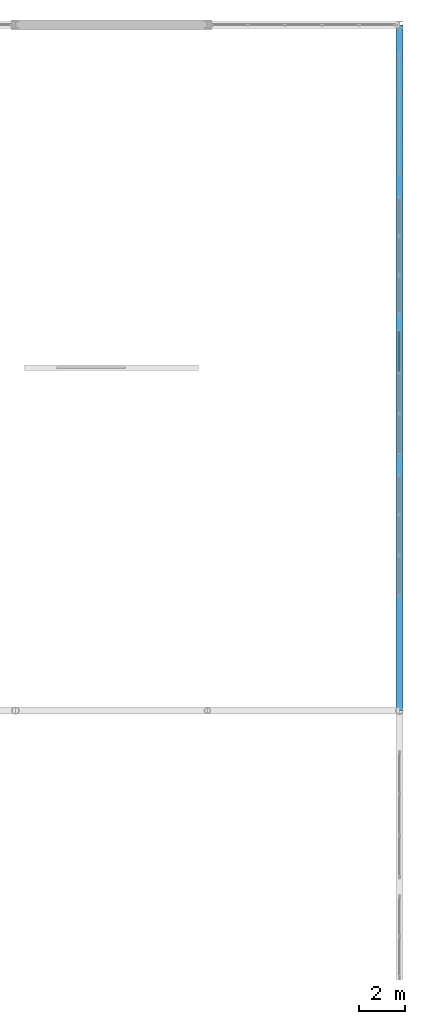
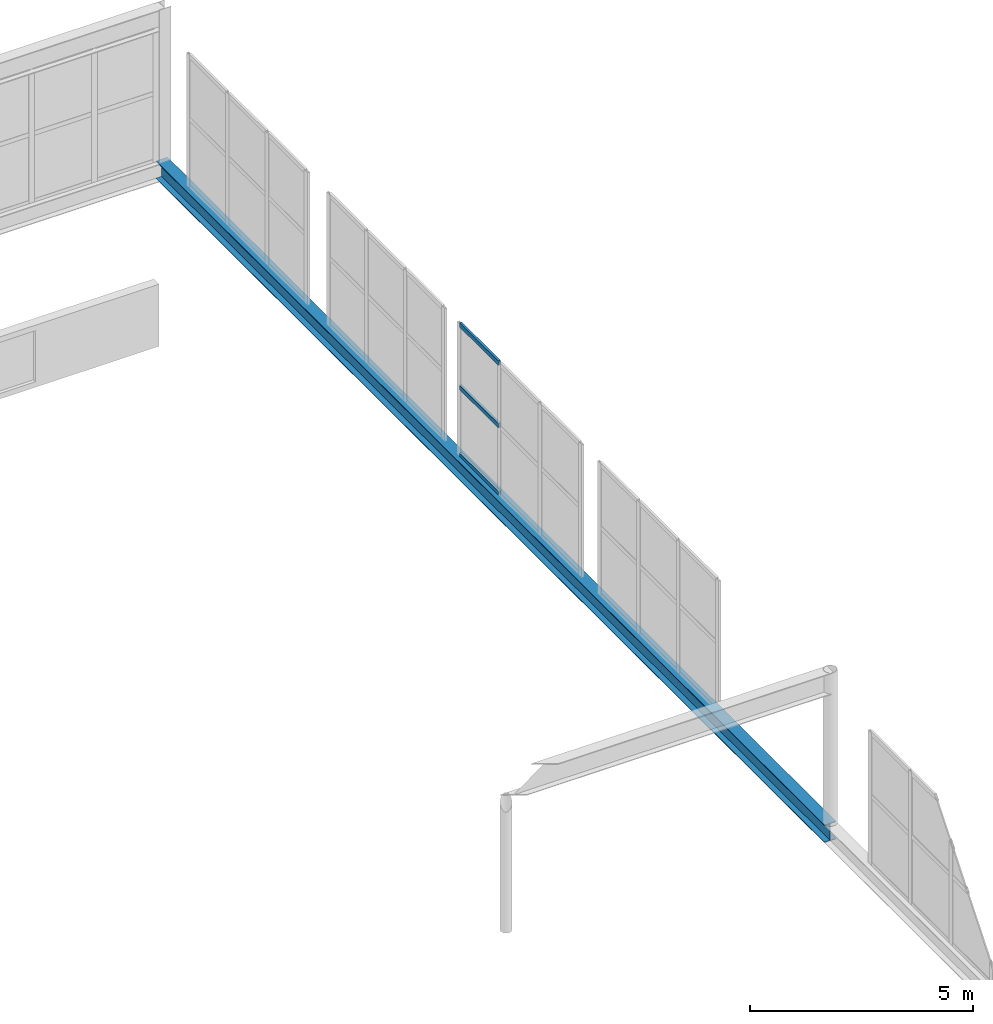
# One storey, part 158 of 218: 3 members, 1 beam, 1 element without a shape of its own.
"""IFC4 building model written with IfcOpenShell, lengths in metres."""

import ifcopenshell
import ifcopenshell.guid

model = None  # the IFC model being written
_history = None  # IfcOwnerHistory: only IFC2X3 demands one
_inside = {}  # id of a spatial element -> (the spatial element, [elements in it])
_under = {}  # id of a project, library or spatial element -> (it, [spatial elements below it])
_declared = {}  # id of a project -> (the project, [libraries it declares])
_typed = {}  # id of a type object -> (the type object, [elements of that type])
_made_of = {}  # id of a material, layer set ... -> (it, [elements and type objects made of it])


def new_model(schema):
    """Start an empty IFC model of exactly this schema.

    Asked for "IFC4X3", IfcOpenShell would pick the latest addendum, in which some entities
    have other attributes; the version numbers below select the first issue.
    IFC2X3 requires an IfcOwnerHistory on every rooted entity: one is made here for all.
    """
    global model, _history
    if schema == "IFC4X3":
        model = ifcopenshell.file(schema_version=(4, 3, 0, 0))
    else:
        model = ifcopenshell.file(schema=schema)
    _inside.clear()
    _under.clear()
    _declared.clear()
    _typed.clear()
    _made_of.clear()
    _history = None
    if model.schema == "IFC2X3":
        org = make("IfcOrganization", Name="unknown")
        user = make(
            "IfcPersonAndOrganization",
            ThePerson=make("IfcPerson", FamilyName="unknown"),
            TheOrganization=org,
        )
        app = make(
            "IfcApplication",
            ApplicationDeveloper=org,
            Version="unknown",
            ApplicationFullName="unknown",
            ApplicationIdentifier="unknown",
        )
        _history = make(
            "IfcOwnerHistory",
            OwningUser=user,
            OwningApplication=app,
            ChangeAction="ADDED",
            CreationDate=0,
        )
    return model


def make(cls, **values):
    """One entity of the class cls with the attributes given. An attribute that is None is left unset."""
    return model.create_entity(
        cls, **{name: value for name, value in values.items() if value is not None}
    )


def rooted(cls, **values):
    """An entity with a GlobalId (a new one), such as an element, a storey or a relation."""
    return make(cls, GlobalId=ifcopenshell.guid.new(), OwnerHistory=_history, **values)


def si_unit(unit_type, name, prefix=None):
    """IfcSIUnit, for example si_unit("LENGTHUNIT", "METRE", prefix="MILLI")."""
    return make("IfcSIUnit", UnitType=unit_type, Prefix=prefix, Name=name)


def assignment(units):
    """IfcUnitAssignment: the units of a project."""
    return None if units is None else make("IfcUnitAssignment", Units=units)


def point(xyz):
    """IfcCartesianPoint."""
    return None if xyz is None else make("IfcCartesianPoint", Coordinates=xyz)


def direction(xyz):
    """IfcDirection."""
    return None if xyz is None else make("IfcDirection", DirectionRatios=xyz)


def frame(location, z_axis=None, x_axis=None):
    """IfcAxis2Placement3D, a coordinate frame: its origin and axes. An axis left out is left unset."""
    return make(
        "IfcAxis2Placement3D",
        Location=point(location),
        Axis=direction(z_axis),
        RefDirection=direction(x_axis),
    )


def frame_2d(location, x_axis=None):
    """IfcAxis2Placement2D, a coordinate frame in the plane: its origin and x axis."""
    return make(
        "IfcAxis2Placement2D", Location=point(location), RefDirection=direction(x_axis)
    )


def origin():
    """The frame at (0, 0, 0) with its axes left unset."""
    return frame((0.0, 0.0, 0.0))


def origin_2d():
    """The frame at (0, 0) in the plane with its x axis left unset."""
    return frame_2d((0.0, 0.0))


def place(relative_to, where):
    """IfcLocalPlacement: puts the frame where relative to a parent placement (None: the world)."""
    return make(
        "IfcLocalPlacement", PlacementRelTo=relative_to, RelativePlacement=where
    )


def context(
    kind, dimensions, precision=None, world=None, true_north=None, identifier=None
):
    """IfcGeometricRepresentationContext, for example the 3D "Model" context."""
    return make(
        "IfcGeometricRepresentationContext",
        ContextIdentifier=identifier,
        ContextType=kind,
        CoordinateSpaceDimension=dimensions,
        Precision=precision,
        WorldCoordinateSystem=world,
        TrueNorth=true_north,
    )


def subcontext(parent, identifier, kind, view, scale=None):
    """IfcGeometricRepresentationSubContext, for example "Body" below "Model"."""
    return make(
        "IfcGeometricRepresentationSubContext",
        ContextIdentifier=identifier,
        ContextType=kind,
        ParentContext=parent,
        TargetScale=scale,
        TargetView=view,
    )


def project(units=None, contexts=None):
    """IfcProject with its units and contexts."""
    return rooted(
        "IfcProject",
        Name="project",
        RepresentationContexts=contexts,
        UnitsInContext=assignment(units),
    )


def spatial(cls, under=None, at=None, **own):
    """A site, building, storey or space (cls), placed at a placement, below another one or the project."""
    s = rooted(cls, ObjectPlacement=at, **own)
    if under is not None:
        _under.setdefault(under.id(), (under, []))[1].append(s)
    return s


def profile(cls, at=None, kind="AREA", **sizes):
    """A parametric profile (cls). Its sizes go by their IFC names, for example OverallWidth=200.0."""
    return make(cls, ProfileType=kind, Position=at, **sizes)


def hollow_rectangle(**sizes):
    """IfcRectangleHollowProfileDef."""
    return profile("IfcRectangleHollowProfileDef", **sizes)


def i_section(**sizes):
    """IfcIShapeProfileDef."""
    return profile("IfcIShapeProfileDef", **sizes)


def extrude(swept, where, along, depth):
    """IfcExtrudedAreaSolid: the profile swept, set in the frame where, extruded along a direction by depth."""
    return make(
        "IfcExtrudedAreaSolid",
        SweptArea=swept,
        Position=where,
        ExtrudedDirection=direction(along),
        Depth=depth,
    )


def shape(context_of_items, identifier, shape_type, items):
    """IfcShapeRepresentation: the items that make up one representation, for example the "Body"."""
    return make(
        "IfcShapeRepresentation",
        ContextOfItems=context_of_items,
        RepresentationIdentifier=identifier,
        RepresentationType=shape_type,
        Items=items,
    )


def material(Name=None, Category=None):
    """IfcMaterial."""
    return make("IfcMaterial", Name=Name, Category=Category)


def material_profile(
    of_material, cross_section, Name=None, Category=None, Priority=None
):
    """IfcMaterialProfile: a cross section and its material."""
    return make(
        "IfcMaterialProfile",
        Name=Name,
        Material=of_material,
        Profile=cross_section,
        Priority=Priority,
        Category=Category,
    )


def profile_set(profiles, Name=None, composite=None):
    """IfcMaterialProfileSet."""
    return make(
        "IfcMaterialProfileSet",
        Name=Name,
        MaterialProfiles=profiles,
        CompositeProfile=composite,
    )


def made_of(thing, what):
    """Note that an element or type object is made of a material, layer set ...; save() writes the relation."""
    if what is not None:
        _made_of.setdefault(what.id(), (what, []))[1].append(thing)
    return thing


def type_object(cls, material=None, **own):
    """A type object (cls), such as IfcWallType, which elements share."""
    return made_of(rooted(cls, **own), material)


def element(
    cls,
    number,
    at=None,
    inside=None,
    cuts=None,
    type_object=None,
    material=None,
    context=None,
    identifier="Body",
    shape_type=None,
    held_by="IfcProductDefinitionShape",
    body=None,
    shapes=None,
    **own,
):
    """One element of the class cls, such as IfcWall. Its Tag is "e" and its number.

    at: its placement. inside: the storey or other place that contains it. cuts: it is an
    opening in that element (IfcRelVoidsElement). A single representation is given by context,
    identifier, shape_type and body (its items); several are given by shapes. held_by: the class
    of the entity that holds the representations. save() writes the other relations.
    """
    e = rooted(cls, Tag="e%d" % number, ObjectPlacement=at, **own)
    if body is not None:
        shapes = [shape(context, identifier, shape_type, body)]
    if shapes is not None:
        e.Representation = make(held_by, Representations=shapes)
    if inside is not None:
        _inside.setdefault(inside.id(), (inside, []))[1].append(e)
    if cuts is not None:
        rooted(
            "IfcRelVoidsElement", RelatingBuildingElement=cuts, RelatedOpeningElement=e
        )
    if type_object is not None:
        _typed.setdefault(type_object.id(), (type_object, []))[1].append(e)
    return made_of(e, material)


def aggregate(whole, parts):
    """IfcRelAggregates: a whole, such as a stair, and the parts it consists of."""
    return rooted("IfcRelAggregates", RelatingObject=whole, RelatedObjects=parts)


def save(model, path):
    """Write the relations noted so far, then the file.

    IfcRelAggregates (storeys below a building ...), IfcRelContainedInSpatialStructure (elements
    in a storey), IfcRelDefinesByType, IfcRelAssociatesMaterial and IfcRelDeclares: one each for
    every whole, place, type object, material and project.
    """
    for whole, parts in _under.values():
        aggregate(whole, parts)
    for where, things in _inside.values():
        rooted(
            "IfcRelContainedInSpatialStructure",
            RelatedElements=things,
            RelatingStructure=where,
        )
    for kind, things in _typed.values():
        rooted("IfcRelDefinesByType", RelatedObjects=things, RelatingType=kind)
    for what, things in _made_of.values():
        rooted("IfcRelAssociatesMaterial", RelatedObjects=things, RelatingMaterial=what)
    for by, libraries in _declared.values():
        rooted("IfcRelDeclares", RelatingContext=by, RelatedDefinitions=libraries)
    model.write(path)


model = new_model("IFC4")

# Units and contexts
model_context = context("Model", 3, precision=1e-05, world=origin(), true_north=direction((0.0, 1.0)))
body_context = subcontext(model_context, "Body", "Model", "MODEL_VIEW")
ifc_project = project(units=[si_unit("LENGTHUNIT", "METRE"), si_unit("AREAUNIT", "SQUARE_METRE"), si_unit("VOLUMEUNIT", "CUBIC_METRE"), si_unit("PLANEANGLEUNIT", "RADIAN"), si_unit("MASSUNIT", "GRAM", prefix="KILO")], contexts=[model_context])

# Site, building, storey
site_placement = place(None, origin())
site = spatial("IfcSite", under=ifc_project, at=site_placement, CompositionType="ELEMENT")
building_placement = place(site_placement, origin())
building = spatial("IfcBuilding", under=site, at=building_placement, Name="Kazenagashi Tramway Depot", CompositionType="ELEMENT")
storey_placement = place(building_placement, frame((0.0, 0.0, 6.0)))
storey = spatial("IfcBuildingStorey", under=building, at=storey_placement, Name="L02", CompositionType="ELEMENT", Elevation=6.0)

# Beam
ifc_material_1 = material(Name="Steel SN490B", Category="steel")
ifc_material_profile_1 = material_profile(ifc_material_1, i_section(OverallWidth=0.3, OverallDepth=0.488, WebThickness=0.011, FlangeThickness=0.018, at=origin_2d()), Name="H-488x300x11x18")
ifc_profile_set_1 = profile_set([ifc_material_profile_1], Name="Steel SN490B")
beam_type = type_object("IfcBeamType", Name="SP-02", PredefinedType="SPANDREL", material=ifc_profile_set_1)
beam_placement = place(storey_placement, frame((196.0, 100.0, -0.264), z_axis=(0.0, 1.0, 0.0), x_axis=(-1.0, 0.0, 0.0)))
element("IfcBeam", 1, at=beam_placement, inside=storey, type_object=beam_type, Name="Beam SP-02 BM-1843", PredefinedType="SPANDREL", context=body_context, shape_type="SweptSolid", body=[
    extrude(i_section(OverallWidth=0.3, OverallDepth=0.488, WebThickness=0.011, FlangeThickness=0.018, at=origin_2d()), origin(), (0.0, 0.0, 1.0), 30.0),
])

# Curtain wall, members
ifc_material_2 = material(Name="Anodised Aluminium and Low-E Glazing", Category="aluminium")
curtain_wall_type = type_object("IfcCurtainWallType", Name="CW-08", PredefinedType="USERDEFINED", material=ifc_material_2)
curtain_wall_placement = place(storey_placement, origin())
curtain_wall = element("IfcCurtainWall", 2, at=curtain_wall_placement, inside=storey, type_object=curtain_wall_type, Name="Industrial Glazed Screen CW-08 CW-0012", ObjectType="GLAZED SCREEN", PredefinedType="USERDEFINED")
ifc_material_3 = material(Name="Anodised Aluminium", Category="aluminium")
ifc_material_profile_2 = material_profile(ifc_material_3, hollow_rectangle(XDim=0.06, YDim=0.12, WallThickness=0.004, at=origin_2d()), Name="RHS-120x60x4")
ifc_profile_set_2 = profile_set([ifc_material_profile_2], Name="Anodised Aluminium")
member_type = type_object("IfcMemberType", Name="TR-01", PredefinedType="USERDEFINED", material=ifc_profile_set_2)
member_1_placement = place(storey_placement, frame((196.0, 114.846667, 0.01), z_axis=(0.0, 1.0, 0.0), x_axis=(-1.0, 0.0, 0.0)))
member_1 = element("IfcMember", 3, at=member_1_placement, type_object=member_type, Name="CW-08 transom 3.1", ObjectType="TRANSOM", PredefinedType="USERDEFINED", context=body_context, shape_type="SweptSolid", body=[
    extrude(hollow_rectangle(XDim=0.06, YDim=0.12, WallThickness=0.004, at=origin_2d()), origin(), (0.0, 0.0, 1.0), 1.743333),
])
member_2_placement = place(storey_placement, frame((196.0, 114.846667, 1.869), z_axis=(0.0, 1.0, 0.0), x_axis=(-1.0, 0.0, 0.0)))
member_2 = element("IfcMember", 4, at=member_2_placement, type_object=member_type, Name="CW-08 transom 3.2", ObjectType="TRANSOM", PredefinedType="USERDEFINED", context=body_context, shape_type="SweptSolid", body=[
    extrude(hollow_rectangle(XDim=0.06, YDim=0.12, WallThickness=0.004, at=origin_2d()), origin(), (0.0, 0.0, 1.0), 1.743333),
])
member_3_placement = place(storey_placement, frame((196.0, 114.846667, 3.582), z_axis=(0.0, 1.0, 0.0), x_axis=(-1.0, 0.0, 0.0)))
member_3 = element("IfcMember", 5, at=member_3_placement, type_object=member_type, Name="CW-08 transom 3.3", ObjectType="TRANSOM", PredefinedType="USERDEFINED", context=body_context, shape_type="SweptSolid", body=[
    extrude(hollow_rectangle(XDim=0.06, YDim=0.12, WallThickness=0.004, at=origin_2d()), origin(), (0.0, 0.0, 1.0), 1.743333),
])
aggregate(curtain_wall, [member_1, member_2, member_3])

save(model, "model.ifc")
